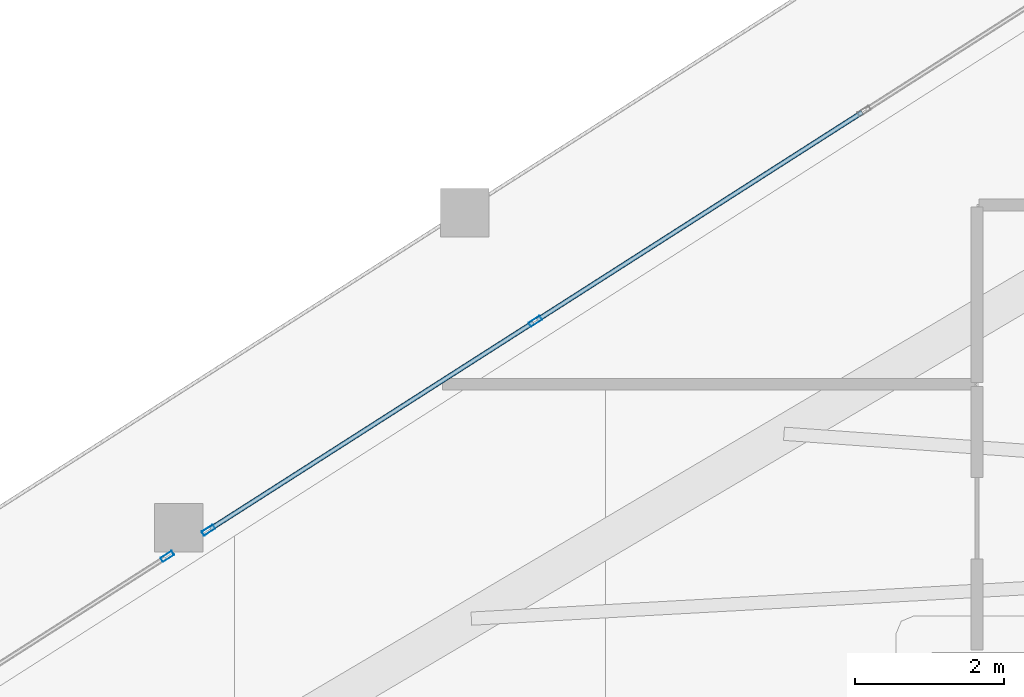
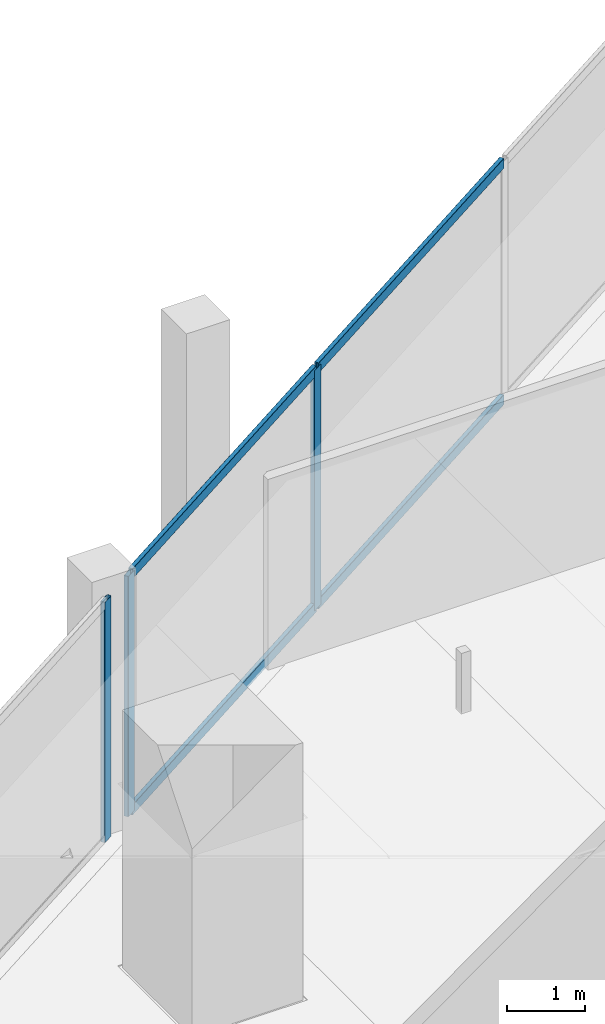
# One storey, part 13 of 30: 7 members, 2 elements without a shape of their own.
"""IFC4 building model written with IfcOpenShell, lengths in metres."""

from ifc_helpers import new_model, si_unit, direction, frame, origin, origin_2d, place, context, subcontext, project, spatial, hollow_rectangle, extrude, material, layer, layer_set, material_profile, profile_set, type_object, element, aggregate, save


model = new_model("IFC4")

# Units and contexts
model_context = context("Model", 3, precision=1e-05, world=origin(), true_north=direction((0.0, 1.0)))
body_context = subcontext(model_context, "Body", "Model", "MODEL_VIEW")
ifc_project = project(units=[si_unit("LENGTHUNIT", "METRE"), si_unit("AREAUNIT", "SQUARE_METRE"), si_unit("VOLUMEUNIT", "CUBIC_METRE"), si_unit("PLANEANGLEUNIT", "RADIAN"), si_unit("MASSUNIT", "GRAM", prefix="KILO")], contexts=[model_context])

# Site, building, storey
site_placement = place(None, origin())
site = spatial("IfcSite", under=ifc_project, at=site_placement, CompositionType="ELEMENT")
building_placement = place(site_placement, origin())
building = spatial("IfcBuilding", under=site, at=building_placement, Name="Qorvath Tower", CompositionType="ELEMENT")
storey_placement = place(building_placement, frame((0.0, 0.0, 217.199951171875)))
storey = spatial("IfcBuildingStorey", under=building, at=storey_placement, Name="L50", CompositionType="ELEMENT", Elevation=217.199951171875)

# Curtain wall, members
ifc_material_1 = material(Name="Anodised aluminium and triple low-E glass", Category="aluminium")
ifc_layer = layer(ifc_material_1, 0.179931640625)
ifc_layer_set = layer_set([ifc_layer], Name="CW-SYS-3")
curtain_wall_type = type_object("IfcCurtainWallType", Name="CW-SYS-3", PredefinedType="NOTDEFINED", material=ifc_layer_set)
curtain_wall_1_placement = place(storey_placement, origin())
curtain_wall_1 = element("IfcCurtainWall", 1, at=curtain_wall_1_placement, inside=storey, type_object=curtain_wall_type, Name="Curtain Wall CW-3 CW-T-L50-16.1", PredefinedType="NOTDEFINED")
ifc_material_2 = material(Name="Anodised aluminium 6063-T6", Category="aluminium")
ifc_material_profile_1 = material_profile(ifc_material_2, hollow_rectangle(XDim=0.06494140625, YDim=0.179931640625, WallThickness=0.00341796875, InnerFilletRadius=0.00341796875, OuterFilletRadius=0.007080078125, at=origin_2d()), Name="CWM 180x65")
ifc_profile_set_1 = profile_set([ifc_material_profile_1], Name="Anodised aluminium 6063-T6")
member_type_1 = type_object("IfcMemberType", Name="CWM-180", PredefinedType="MULLION", material=ifc_profile_set_1)
member_1_placement = place(storey_placement, frame((-43.791259765625, 9.19580078125, 0.0), z_axis=(0.0, 0.0, 1.0), x_axis=(0.538534785809, -0.842603278224, 0.0)))
member_1 = element("IfcMember", 2, at=member_1_placement, type_object=member_type_1, Name="CW-3 mullion 7", PredefinedType="MULLION", context=body_context, shape_type="SweptSolid", body=[
    extrude(hollow_rectangle(XDim=0.06494140625, YDim=0.179931640625, WallThickness=0.00341796875, InnerFilletRadius=0.00341796875, OuterFilletRadius=0.007080078125, at=origin_2d()), origin(), (0.0, 0.0, 1.0), 3.780029296875),
])
member_2_placement = place(storey_placement, frame((-48.18115234375, 6.39013671875, 0.0), z_axis=(0.0, 0.0, 1.0), x_axis=(0.538534785809, -0.842603278224, 0.0)))
member_2 = element("IfcMember", 3, at=member_2_placement, type_object=member_type_1, Name="CW-3 mullion 8", PredefinedType="MULLION", context=body_context, shape_type="SweptSolid", body=[
    extrude(hollow_rectangle(XDim=0.06494140625, YDim=0.179931640625, WallThickness=0.00341796875, InnerFilletRadius=0.00341796875, OuterFilletRadius=0.007080078125, at=origin_2d()), origin(), (0.0, 0.0, 1.0), 3.780029296875),
])

# Curtain wall, member
curtain_wall_2_placement = place(storey_placement, origin())
curtain_wall_2 = element("IfcCurtainWall", 4, at=curtain_wall_2_placement, inside=storey, type_object=curtain_wall_type, Name="Curtain Wall CW-3 CW-T-L50-16.2", PredefinedType="NOTDEFINED")
member_3_placement = place(storey_placement, frame((-48.7333984375, 6.037109375, 0.0), z_axis=(0.0, 0.0, 1.0), x_axis=(0.53855312183, -0.842591558804, 0.0)))
member_3 = element("IfcMember", 5, at=member_3_placement, type_object=member_type_1, Name="CW-3 mullion 1", PredefinedType="MULLION", context=body_context, shape_type="SweptSolid", body=[
    extrude(hollow_rectangle(XDim=0.06494140625, YDim=0.179931640625, WallThickness=0.00341796875, InnerFilletRadius=0.00341796875, OuterFilletRadius=0.007080078125, at=origin_2d()), origin(), (0.0, 0.0, 1.0), 3.780029296875),
])
aggregate(curtain_wall_2, [member_3])

# Member
ifc_material_3 = material(Name="Anodised aluminium 6063-T6", Category="aluminium")
ifc_material_profile_2 = material_profile(ifc_material_3, hollow_rectangle(XDim=0.06494140625, YDim=0.159912109375, WallThickness=0.00341796875, InnerFilletRadius=0.00341796875, OuterFilletRadius=0.007080078125, at=origin_2d()), Name="CWT 160x65")
ifc_profile_set_2 = profile_set([ifc_material_profile_2], Name="Anodised aluminium 6063-T6")
member_type_2 = type_object("IfcMemberType", Name="CWT-160", PredefinedType="USERDEFINED", material=ifc_profile_set_2)
member_4_placement = place(storey_placement, frame((-39.401611328125, 12.00146484375, 0.032470703125), z_axis=(-0.842582136458, -0.538567863246, 0.0), x_axis=(0.538567863246, -0.842582136458, 0.0)))
member_4 = element("IfcMember", 6, at=member_4_placement, type_object=member_type_2, Name="CW-3 transom 6.1", ObjectType="TRANSOM", PredefinedType="USERDEFINED", context=body_context, shape_type="SweptSolid", body=[
    extrude(hollow_rectangle(XDim=0.06494140625, YDim=0.159912109375, WallThickness=0.00341796875, InnerFilletRadius=0.00341796875, OuterFilletRadius=0.007080078125, at=origin_2d()), origin(), (0.0, 0.0, 1.0), 5.17724609375),
])

member_5_placement = place(storey_placement, frame((-39.401611328125, 12.00146484375, 3.74755859375), z_axis=(-0.842582136458, -0.538567863246, 0.0), x_axis=(0.538567863246, -0.842582136458, 0.0)))
member_5 = element("IfcMember", 7, at=member_5_placement, type_object=member_type_2, Name="CW-3 transom 6.2", ObjectType="TRANSOM", PredefinedType="USERDEFINED", context=body_context, shape_type="SweptSolid", body=[
    extrude(hollow_rectangle(XDim=0.06494140625, YDim=0.159912109375, WallThickness=0.00341796875, InnerFilletRadius=0.00341796875, OuterFilletRadius=0.007080078125, at=origin_2d()), origin(), (0.0, 0.0, 1.0), 5.17724609375),
])

member_6_placement = place(storey_placement, frame((-43.81884765625, 9.17822265625, 0.032470703125), z_axis=(-0.842612520647, -0.538520324639, 0.0), x_axis=(0.538520324639, -0.842612520647, 0.0)))
member_6 = element("IfcMember", 8, at=member_6_placement, type_object=member_type_2, Name="CW-3 transom 7.1", ObjectType="TRANSOM", PredefinedType="USERDEFINED", context=body_context, shape_type="SweptSolid", body=[
    extrude(hollow_rectangle(XDim=0.06494140625, YDim=0.159912109375, WallThickness=0.00341796875, InnerFilletRadius=0.00341796875, OuterFilletRadius=0.007080078125, at=origin_2d()), origin(), (0.0, 0.0, 1.0), 5.144775390625),
])

member_7_placement = place(storey_placement, frame((-43.81884765625, 9.17822265625, 3.74755859375), z_axis=(-0.842612520647, -0.538520324639, 0.0), x_axis=(0.538520324639, -0.842612520647, 0.0)))
member_7 = element("IfcMember", 9, at=member_7_placement, type_object=member_type_2, Name="CW-3 transom 7.2", ObjectType="TRANSOM", PredefinedType="USERDEFINED", context=body_context, shape_type="SweptSolid", body=[
    extrude(hollow_rectangle(XDim=0.06494140625, YDim=0.159912109375, WallThickness=0.00341796875, InnerFilletRadius=0.00341796875, OuterFilletRadius=0.007080078125, at=origin_2d()), origin(), (0.0, 0.0, 1.0), 5.144775390625),
])

aggregate(curtain_wall_1, [member_1, member_2, member_4, member_5, member_6, member_7])

save(model, "model.ifc")
